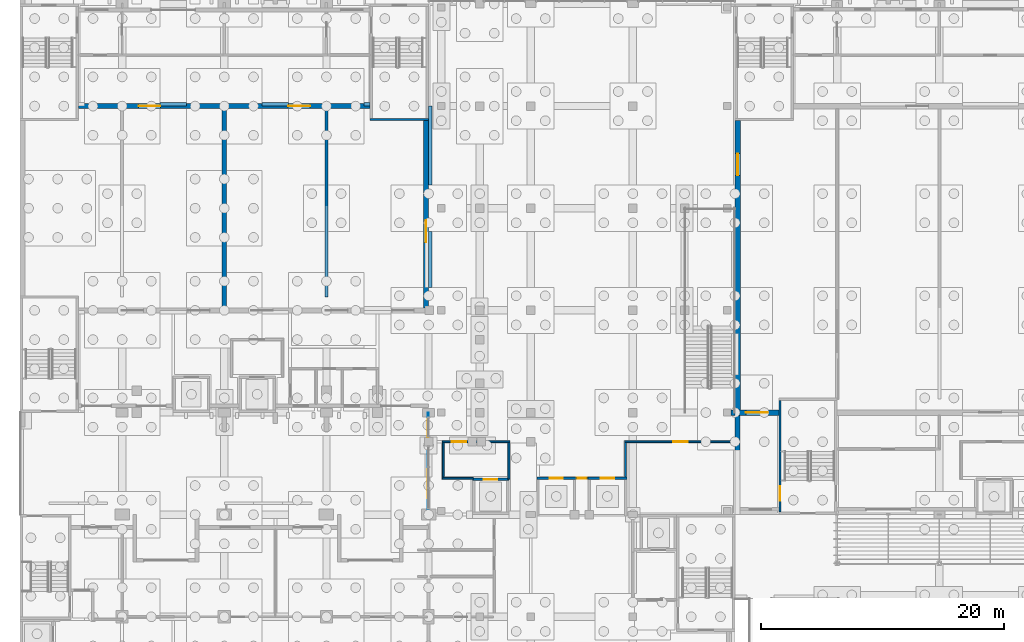
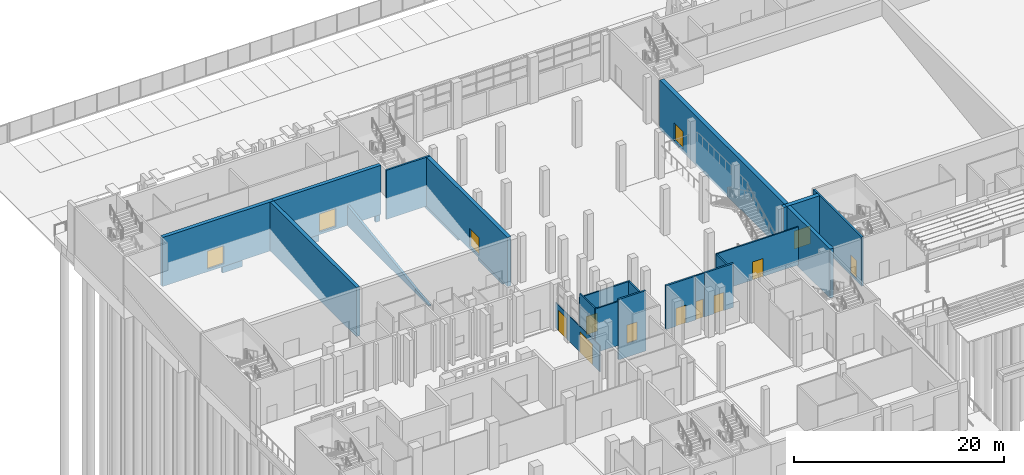
# One storey, part 47 of 129: 27 walls, 14 doors, 14 openings.
"""IFC4 building model written with IfcOpenShell, lengths in metres."""

from ifc_helpers import new_model, si_unit, direction, frame, frame_2d, origin, place, context, subcontext, project, spatial, polyline, rectangle, outline, extrude, material, layer, layer_set, type_object, element, fill, save


model = new_model("IFC4")

# Units and contexts
model_context = context("Model", 3, precision=1e-05, world=origin(), true_north=direction((0.0, 1.0)))
body_context = subcontext(model_context, "Body", "Model", "MODEL_VIEW")
ifc_project = project(units=[si_unit("LENGTHUNIT", "METRE"), si_unit("AREAUNIT", "SQUARE_METRE"), si_unit("VOLUMEUNIT", "CUBIC_METRE"), si_unit("PLANEANGLEUNIT", "RADIAN"), si_unit("MASSUNIT", "GRAM", prefix="KILO")], contexts=[model_context])

# Site, building, storey
site_placement = place(None, origin())
site = spatial("IfcSite", under=ifc_project, at=site_placement, CompositionType="ELEMENT")
building_placement = place(site_placement, origin())
building = spatial("IfcBuilding", under=site, at=building_placement, Name="Kiln Court Media Centre", CompositionType="ELEMENT")
storey_placement = place(building_placement, origin())
storey = spatial("IfcBuildingStorey", under=building, at=storey_placement, Name="L00", CompositionType="ELEMENT", Elevation=0.0)

# Wall
ifc_material_1 = material(Name="Concrete block masonry M7.5", Category="masonry")
ifc_layer_1 = layer(ifc_material_1, 0.14990234375)
ifc_layer_set_1 = layer_set([ifc_layer_1], Name="Block lobby wall 150 EI 120")
wall_type_1 = type_object("IfcWallType", Name="Block lobby wall 150 EI 120", PredefinedType="SOLIDWALL", material=ifc_layer_set_1)
wall_1_placement = place(storey_placement, frame((34.72509765625, 28.199951171875, 0.0), z_axis=(0.0, 0.0, 1.0), x_axis=(1.0, 0.0, 0.0)))
element("IfcWall", 1, at=wall_1_placement, inside=storey, type_object=wall_type_1, Name="L00 block lobby wall", PredefinedType="SOLIDWALL", context=body_context, shape_type="SweptSolid", body=[
    extrude(rectangle(XDim=2.5498046875, YDim=0.14990234375, at=frame_2d((1.27490234375, 0.0))), origin(), (0.0, 0.0, 1.0), 5.10009765625),
])

# Wall, opening, door
wall_2_placement = place(storey_placement, frame((34.72509765625, 31.199951171875, 0.0), z_axis=(0.0, 0.0, 1.0), x_axis=(1.0, 0.0, 0.0)))
wall_2 = element("IfcWall", 2, at=wall_2_placement, inside=storey, type_object=wall_type_1, Name="L00 block lobby wall", PredefinedType="SOLIDWALL", context=body_context, shape_type="SweptSolid", body=[
    extrude(rectangle(XDim=5.5498046875, YDim=0.14990234375, at=frame_2d((2.77490234375, 0.0))), origin(), (0.0, 0.0, 1.0), 4.60009765625),
])
opening_1_placement = place(wall_2_placement, frame((0.77490234375, 0.0, 0.0)))
opening_1 = element("IfcOpeningElement", 3, at=opening_1_placement, cuts=wall_2, Name="Opening D0025", PredefinedType="OPENING", context=body_context, shape_type="SweptSolid", body=[
    extrude(rectangle(XDim=1.199951171875, YDim=2.10009765625, at=frame_2d((0.60009765625, 1.050048828125))), frame((0.0, 0.0849609375, 0.0), z_axis=(0.0, -1.0, 0.0), x_axis=(1.0, 0.0, 0.0)), (0.0, 0.0, 1.0), 0.169921875),
])
ifc_material_2 = material(Name="Steel S275", Category="steel")
door_type_1 = type_object("IfcDoorType", Name="Steel lobby door 1200 x 2100 FD120", OperationType="SINGLE_SWING_LEFT", PredefinedType="DOOR", material=ifc_material_2)
door_1_placement = place(opening_1_placement, origin())
door_1 = element("IfcDoor", 4, at=door_1_placement, inside=storey, type_object=door_type_1, Name="Great Foyer / Fire-fighting Lift Lobby", OperationType="SINGLE_SWING_LEFT", OverallHeight=2.10009765625, OverallWidth=1.199951171875, PredefinedType="DOOR", context=body_context, shape_type="SweptSolid", body=[
    extrude(rectangle(XDim=1.199951171875, YDim=2.10009765625, at=frame_2d((0.60009765625, 1.050048828125))), frame((0.0, 0.02490234375, 0.0), z_axis=(0.0, -1.0, 0.0), x_axis=(1.0, 0.0, 0.0)), (0.0, 0.0, 1.0), 0.050048828125),
])
fill(opening_1, door_1)

# Walls
wall_3_placement = place(storey_placement, frame((34.800048828125, 28.27490234375, 0.0), z_axis=(0.0, 0.0, 1.0), x_axis=(0.0, 1.0, 0.0)))
element("IfcWall", 5, at=wall_3_placement, inside=storey, type_object=wall_type_1, Name="L00 block lobby wall", PredefinedType="SOLIDWALL", context=body_context, shape_type="SweptSolid", body=[
    extrude(rectangle(XDim=2.85009765625, YDim=0.14990234375, at=frame_2d((1.425048828125, 0.0))), origin(), (0.0, 0.0, 1.0), 5.10009765625),
])
wall_4_placement = place(storey_placement, frame((40.199951171875, 28.125, 0.0), z_axis=(0.0, 0.0, 1.0), x_axis=(0.0, 1.0, 0.0)))
element("IfcWall", 6, at=wall_4_placement, inside=storey, type_object=wall_type_1, Name="L00 block lobby wall", PredefinedType="SOLIDWALL", context=body_context, shape_type="SweptSolid", body=[
    extrude(rectangle(XDim=3.0, YDim=0.14990234375, at=frame_2d((1.5, 0.0))), origin(), (0.0, 0.0, 1.0), 4.60009765625),
])

# Wall, opening, door
ifc_material_3 = material(Name="Concrete block masonry M10", Category="masonry")
ifc_layer_2 = layer(ifc_material_3, 0.14990234375)
ifc_layer_set_2 = layer_set([ifc_layer_2], Name="Block riser wall 150 EI 120")
wall_type_2 = type_object("IfcWallType", Name="Block riser wall 150 EI 120", PredefinedType="SOLIDWALL", material=ifc_layer_set_2)
wall_5_placement = place(storey_placement, frame((45.699951171875, 28.199951171875, 0.0), z_axis=(0.0, 0.0, 1.0), x_axis=(1.0, 0.0, 0.0)))
wall_5 = element("IfcWall", 7, at=wall_5_placement, inside=storey, type_object=wall_type_2, Name="L00 block riser wall", PredefinedType="SOLIDWALL", context=body_context, shape_type="SweptSolid", body=[
    extrude(rectangle(XDim=1.0, YDim=0.14990234375, at=frame_2d((0.5, 0.0))), origin(), (0.0, 0.0, 1.0), 5.10009765625),
])
opening_2_placement = place(wall_5_placement, frame((0.10009765625, 0.0, 0.0)))
opening_2 = element("IfcOpeningElement", 8, at=opening_2_placement, cuts=wall_5, Name="Opening D0023", PredefinedType="OPENING", context=body_context, shape_type="SweptSolid", body=[
    extrude(rectangle(XDim=0.800048828125, YDim=2.10009765625, at=frame_2d((0.39990234375, 1.050048828125))), frame((0.0, 0.0849609375, 0.0), z_axis=(0.0, -1.0, 0.0), x_axis=(1.0, 0.0, 0.0)), (0.0, 0.0, 1.0), 0.169921875),
])
ifc_material_4 = material(Name="Steel S275", Category="steel")
door_type_2 = type_object("IfcDoorType", Name="Steel riser door 800 x 2100 FD90", OperationType="SINGLE_SWING_LEFT", PredefinedType="DOOR", material=ifc_material_4)
door_2_placement = place(opening_2_placement, origin())
door_2 = element("IfcDoor", 9, at=door_2_placement, inside=storey, type_object=door_type_2, Name="Riser / Great Foyer", OperationType="SINGLE_SWING_RIGHT", OverallHeight=2.10009765625, OverallWidth=0.800048828125, PredefinedType="DOOR", context=body_context, shape_type="SweptSolid", body=[
    extrude(rectangle(XDim=0.800048828125, YDim=2.10009765625, at=frame_2d((0.39990234375, 1.050048828125))), frame((0.0, 0.02490234375, 0.0), z_axis=(0.0, -1.0, 0.0), x_axis=(1.0, 0.0, 0.0)), (0.0, 0.0, 1.0), 0.050048828125),
])
fill(opening_2, door_2)

# Walls
ifc_material_5 = material(Name="Concrete C30/37", Category="concrete")
ifc_layer_3 = layer(ifc_material_5, 0.300048828125)
ifc_layer_set_3 = layer_set([ifc_layer_3], Name="Concrete C30/37 plinth wall 300")
wall_type_3 = type_object("IfcWallType", Name="Concrete C30/37 plinth wall 300", PredefinedType="SOLIDWALL", material=ifc_layer_set_3)
wall_6_placement = place(storey_placement, frame((13.699951171875, 58.949951171875, -1.199951171875), z_axis=(0.0, 0.0, 1.0), x_axis=(-1.0, 0.0, 0.0)))
element("IfcWall", 10, at=wall_6_placement, inside=storey, type_object=wall_type_3, Name="L00-W-1212", PredefinedType="SOLIDWALL", context=body_context, shape_type="SweptSolid", body=[
    extrude(rectangle(XDim=2.199951171875, YDim=0.300048828125, at=frame_2d((1.10009765625, 0.0))), origin(), (0.0, 0.0, 1.0), 0.89990234375),
])
wall_7_placement = place(storey_placement, frame((22.10009765625, 58.949951171875, -1.199951171875), z_axis=(0.0, 0.0, 1.0), x_axis=(-1.0, 0.0, 0.0)))
element("IfcWall", 11, at=wall_7_placement, inside=storey, type_object=wall_type_3, Name="L00-W-1213", PredefinedType="SOLIDWALL", context=body_context, shape_type="SweptSolid", body=[
    extrude(rectangle(XDim=2.2001953125, YDim=0.300048828125, at=frame_2d((1.10009765625, 0.0))), origin(), (0.0, 0.0, 1.0), 0.89990234375),
])
wall_8_placement = place(storey_placement, frame((28.800048828125, 58.949951171875, -1.199951171875), z_axis=(0.0, 0.0, 1.0), x_axis=(-1.0, 0.0, 0.0)))
element("IfcWall", 12, at=wall_8_placement, inside=storey, type_object=wall_type_3, Name="L00-W-1214", PredefinedType="SOLIDWALL", context=body_context, shape_type="SweptSolid", body=[
    extrude(rectangle(XDim=0.5, YDim=0.300048828125, at=frame_2d((0.25, 0.0))), origin(), (0.0, 0.0, 1.0), 0.89990234375),
])
wall_9_placement = place(storey_placement, frame((33.75, 43.89990234375, -1.199951171875), z_axis=(0.0, 0.0, 1.0), x_axis=(0.0, 1.0, 0.0)))
element("IfcWall", 13, at=wall_9_placement, inside=storey, type_object=wall_type_3, Name="L00-W-1215", PredefinedType="SOLIDWALL", context=body_context, shape_type="SweptSolid", body=[
    extrude(rectangle(XDim=4.60009765625, YDim=0.300048828125, at=frame_2d((2.300048828125, 0.0))), origin(), (0.0, 0.0, 1.0), 0.89990234375),
])
wall_10_placement = place(storey_placement, frame((33.75, 52.300048828125, -1.199951171875), z_axis=(0.0, 0.0, 1.0), x_axis=(0.0, 1.0, 0.0)))
element("IfcWall", 14, at=wall_10_placement, inside=storey, type_object=wall_type_3, Name="L00-W-1216", PredefinedType="SOLIDWALL", context=body_context, shape_type="SweptSolid", body=[
    extrude(rectangle(XDim=6.4990234375, YDim=0.300048828125, at=frame_2d((3.24951171875, 0.0))), origin(), (0.0, 0.0, 1.0), 0.89990234375),
])
ifc_material_6 = material(Name="Concrete C40/50", Category="concrete")
ifc_layer_4 = layer(ifc_material_6, 0.35009765625)
ifc_layer_set_4 = layer_set([ifc_layer_4], Name="Concrete C40/50 auditorium wall 350")
wall_type_4 = type_object("IfcWallType", Name="Concrete C40/50 auditorium wall 350", PredefinedType="SHEAR", material=ifc_layer_set_4)
wall_11_placement = place(storey_placement, frame((58.625, 33.375, -0.300048828125), z_axis=(0.0, 0.0, 1.0), x_axis=(0.0, 1.0, 0.0)))
element("IfcWall", 15, at=wall_11_placement, inside=storey, type_object=wall_type_4, Name="L00-W-1163", PredefinedType="SHEAR", context=body_context, shape_type="SweptSolid", body=[
    extrude(rectangle(XDim=0.449951171875, YDim=0.35009765625, at=frame_2d((0.22509765625, 0.0))), origin(), (0.0, 0.0, 1.0), 5.699951171875),
])

# Wall, opening, door
ifc_material_7 = material(Name="Concrete C40/50", Category="concrete")
ifc_layer_5 = layer(ifc_material_7, 0.39990234375)
ifc_layer_set_5 = layer_set([ifc_layer_5], Name="Concrete C40/50 auditorium wall 400")
wall_type_5 = type_object("IfcWallType", Name="Concrete C40/50 auditorium wall 400", PredefinedType="SHEAR", material=ifc_layer_set_5)
wall_12_placement = place(storey_placement, frame((4.800048828125, 58.800048828125, -0.300048828125), z_axis=(0.0, 0.0, 1.0), x_axis=(1.0, 0.0, 0.0)))
wall_12 = element("IfcWall", 16, at=wall_12_placement, inside=storey, type_object=wall_type_5, Name="L00-W-1119", PredefinedType="SHEAR", context=body_context, shape_type="SweptSolid", body=[
    extrude(rectangle(XDim=12.199951171875, YDim=0.39990234375, at=frame_2d((6.10009765625, 0.0))), origin(), (0.0, 0.0, 1.0), 5.699951171875),
])
opening_3_placement = place(wall_12_placement, frame((4.949951171875, 0.0, 0.300048828125)))
opening_3 = element("IfcOpeningElement", 17, at=opening_3_placement, cuts=wall_12, Name="Opening D0079", PredefinedType="OPENING", context=body_context, shape_type="SweptSolid", body=[
    extrude(rectangle(XDim=1.800048828125, YDim=2.10009765625, at=frame_2d((0.89990234375, 1.050048828125))), frame((0.0, 0.2099609375, 0.0), z_axis=(0.0, -1.0, 0.0), x_axis=(1.0, 0.0, 0.0)), (0.0, 0.0, 1.0), 0.419921875),
])
ifc_material_8 = material(Name="Steel S275", Category="steel")
door_type_3 = type_object("IfcDoorType", Name="Acoustic cinema double door 1800 x 2100 FD180", OperationType="DOUBLE_DOOR_SINGLE_SWING", PredefinedType="DOOR", material=ifc_material_8)
door_3_placement = place(opening_3_placement, origin())
door_3 = element("IfcDoor", 18, at=door_3_placement, inside=storey, type_object=door_type_3, Name="Cinema Screen 3 / Rear Exit Lobby", OperationType="DOUBLE_DOOR_SINGLE_SWING", OverallHeight=2.10009765625, OverallWidth=1.800048828125, PredefinedType="DOOR", context=body_context, shape_type="SweptSolid", body=[
    extrude(rectangle(XDim=1.800048828125, YDim=2.10009765625, at=frame_2d((0.89990234375, 1.050048828125))), frame((0.0, 0.02490234375, 0.0), z_axis=(0.0, -1.0, 0.0), x_axis=(1.0, 0.0, 0.0)), (0.0, 0.0, 1.0), 0.050048828125),
])
fill(opening_3, door_3)

# Wall
wall_13_placement = place(storey_placement, frame((16.800048828125, 58.60009765625, -0.300048828125), z_axis=(0.0, 0.0, 1.0), x_axis=(0.0, -1.0, 0.0)))
element("IfcWall", 19, at=wall_13_placement, inside=storey, type_object=wall_type_5, Name="L00-W-1121", PredefinedType="SHEAR", context=body_context, shape_type="SweptSolid", body=[
    extrude(rectangle(XDim=16.400146484375, YDim=0.39990234375, at=frame_2d((8.2001953125, 0.0))), origin(), (0.0, 0.0, 1.0), 5.699951171875),
])

# Wall, opening, door
wall_14_placement = place(storey_placement, frame((17.0, 58.800048828125, -0.300048828125), z_axis=(0.0, 0.0, 1.0), x_axis=(1.0, 0.0, 0.0)))
wall_14 = element("IfcWall", 20, at=wall_14_placement, inside=storey, type_object=wall_type_5, Name="L00-W-1123", PredefinedType="SHEAR", context=body_context, shape_type="SweptSolid", body=[
    extrude(rectangle(XDim=11.800048828125, YDim=0.39990234375, at=frame_2d((5.89990234375, 0.0))), origin(), (0.0, 0.0, 1.0), 5.699951171875),
])
opening_4_placement = place(wall_14_placement, frame((5.050048828125, 0.0, 0.300048828125)))
opening_4 = element("IfcOpeningElement", 21, at=opening_4_placement, cuts=wall_14, Name="Opening D0083", PredefinedType="OPENING", context=body_context, shape_type="SweptSolid", body=[
    extrude(rectangle(XDim=1.800048828125, YDim=2.10009765625, at=frame_2d((0.89990234375, 1.050048828125))), frame((0.0, 0.2099609375, 0.0), z_axis=(0.0, -1.0, 0.0), x_axis=(1.0, 0.0, 0.0)), (0.0, 0.0, 1.0), 0.419921875),
])
door_4_placement = place(opening_4_placement, origin())
door_4 = element("IfcDoor", 22, at=door_4_placement, inside=storey, type_object=door_type_3, Name="Cinema Screen 4 / Rear Exit Lobby", OperationType="DOUBLE_DOOR_SINGLE_SWING", OverallHeight=2.10009765625, OverallWidth=1.800048828125, PredefinedType="DOOR", context=body_context, shape_type="SweptSolid", body=[
    extrude(rectangle(XDim=1.800048828125, YDim=2.10009765625, at=frame_2d((0.89990234375, 1.050048828125))), frame((0.0, 0.02490234375, 0.0), z_axis=(0.0, -1.0, 0.0), x_axis=(1.0, 0.0, 0.0)), (0.0, 0.0, 1.0), 0.050048828125),
])
fill(opening_4, door_4)

wall_15_placement = place(storey_placement, frame((33.39990234375, 57.60009765625, -0.300048828125), z_axis=(0.0, 0.0, 1.0), x_axis=(0.0, -1.0, 0.0)))
wall_15 = element("IfcWall", 23, at=wall_15_placement, inside=storey, type_object=wall_type_5, Name="L00-W-1124", PredefinedType="SHEAR", context=body_context, shape_type="SweptSolid", body=[
    extrude(rectangle(XDim=15.400146484375, YDim=0.39990234375, at=frame_2d((7.7001953125, 0.0))), origin(), (0.0, 0.0, 1.0), 5.699951171875),
])
opening_5_placement = place(wall_15_placement, frame((8.2001953125, 0.0, 0.300048828125)))
opening_5 = element("IfcOpeningElement", 24, at=opening_5_placement, cuts=wall_15, Name="Opening D0027", PredefinedType="OPENING", context=body_context, shape_type="SweptSolid", body=[
    extrude(rectangle(XDim=1.800048828125, YDim=2.10009765625, at=frame_2d((0.89990234375, 1.050048828125))), frame((0.0, 0.2099609375, 0.0), z_axis=(0.0, -1.0, 0.0), x_axis=(1.0, 0.0, 0.0)), (0.0, 0.0, 1.0), 0.419921875),
])
ifc_material_9 = material(Name="Steel S275", Category="steel")
door_type_4 = type_object("IfcDoorType", Name="Steel fire-wall double door 1800 x 2100 FD180", OperationType="DOUBLE_DOOR_SINGLE_SWING", PredefinedType="DOOR", material=ifc_material_9)
door_5_placement = place(opening_5_placement, origin())
door_5 = element("IfcDoor", 25, at=door_5_placement, inside=storey, type_object=door_type_4, Name="Great Foyer / Cinema Screen 4", OperationType="DOUBLE_DOOR_SINGLE_SWING", OverallHeight=2.10009765625, OverallWidth=1.800048828125, PredefinedType="DOOR", context=body_context, shape_type="SweptSolid", body=[
    extrude(rectangle(XDim=1.800048828125, YDim=2.10009765625, at=frame_2d((0.89990234375, 1.050048828125))), frame((0.0, 0.02490234375, 0.0), z_axis=(0.0, -1.0, 0.0), x_axis=(1.0, 0.0, 0.0)), (0.0, 0.0, 1.0), 0.050048828125),
])
fill(opening_5, door_5)

# Wall
wall_16_placement = place(storey_placement, frame((59.0, 25.199951171875, -0.300048828125), z_axis=(0.0, 0.0, 1.0), x_axis=(0.0, 1.0, 0.0)))
element("IfcWall", 26, at=wall_16_placement, inside=storey, type_object=wall_type_5, Name="L00-W-1141", PredefinedType="SHEAR", context=body_context, shape_type="SweptSolid", body=[
    extrude(rectangle(XDim=8.175048828125, YDim=0.39990234375, at=frame_2d((4.08740234375, 0.0))), origin(), (0.0, 0.0, 1.0), 5.699951171875),
])

# Wall, opening, door
ifc_material_10 = material(Name="Concrete C40/50", Category="concrete")
ifc_layer_6 = layer(ifc_material_10, 0.449951171875)
ifc_layer_set_6 = layer_set([ifc_layer_6], Name="Concrete C40/50 auditorium wall 450")
wall_type_6 = type_object("IfcWallType", Name="Concrete C40/50 auditorium wall 450", PredefinedType="SHEAR", material=ifc_layer_set_6)
wall_17_placement = place(storey_placement, frame((62.39990234375, 33.60009765625, -0.300048828125), z_axis=(0.0, 0.0, 1.0), x_axis=(-1.0, 0.0, 0.0)))
wall_17 = element("IfcWall", 27, at=wall_17_placement, inside=storey, type_object=wall_type_6, Name="L00-W-1110", PredefinedType="SHEAR", context=body_context, shape_type="SweptSolid", body=[
    extrude(rectangle(XDim=3.599853515625, YDim=0.449951171875, at=frame_2d((1.7998046875, 0.0))), origin(), (0.0, 0.0, 1.0), 5.699951171875),
])
opening_6_placement = place(wall_17_placement, frame((0.89990234375, 0.0, 0.300048828125)))
opening_6 = element("IfcOpeningElement", 28, at=opening_6_placement, cuts=wall_17, Name="Opening D0074", PredefinedType="OPENING", context=body_context, shape_type="SweptSolid", body=[
    extrude(rectangle(XDim=1.800048828125, YDim=2.10009765625, at=frame_2d((0.89990234375, 1.050048828125))), frame((0.0, 0.23486328125, 0.0), z_axis=(0.0, -1.0, 0.0), x_axis=(1.0, 0.0, 0.0)), (0.0, 0.0, 1.0), 0.469970703125),
])
door_6_placement = place(opening_6_placement, origin())
door_6 = element("IfcDoor", 29, at=door_6_placement, inside=storey, type_object=door_type_3, Name="Foyer Link / Cinema Screen 1", OperationType="DOUBLE_DOOR_SINGLE_SWING", OverallHeight=2.10009765625, OverallWidth=1.800048828125, PredefinedType="DOOR", context=body_context, shape_type="SweptSolid", body=[
    extrude(rectangle(XDim=1.800048828125, YDim=2.10009765625, at=frame_2d((0.89990234375, 1.050048828125))), frame((0.0, 0.02490234375, 0.0), z_axis=(0.0, -1.0, 0.0), x_axis=(1.0, 0.0, 0.0)), (0.0, 0.0, 1.0), 0.050048828125),
])
fill(opening_6, door_6)

wall_18_placement = place(storey_placement, frame((59.02490234375, 33.824951171875, -0.300048828125), z_axis=(0.0, 0.0, 1.0), x_axis=(0.0, 1.0, 0.0)))
wall_18 = element("IfcWall", 30, at=wall_18_placement, inside=storey, type_object=wall_type_6, Name="L00-W-1113", PredefinedType="SHEAR", context=body_context, shape_type="SweptSolid", body=[
    extrude(rectangle(XDim=23.775146484375, YDim=0.449951171875, at=frame_2d((11.8876953125, 0.0))), origin(), (0.0, 0.0, 1.0), 5.699951171875),
])
opening_7_placement = place(wall_18_placement, frame((19.27490234375, 0.0, 0.300048828125)))
opening_7 = element("IfcOpeningElement", 31, at=opening_7_placement, cuts=wall_18, Name="Opening D0026", PredefinedType="OPENING", context=body_context, shape_type="SweptSolid", body=[
    extrude(rectangle(XDim=1.800048828125, YDim=2.10009765625, at=frame_2d((0.89990234375, 1.050048828125))), frame((0.0, 0.23486328125, 0.0), z_axis=(0.0, -1.0, 0.0), x_axis=(1.0, 0.0, 0.0)), (0.0, 0.0, 1.0), 0.469970703125),
])
door_7_placement = place(opening_7_placement, origin())
door_7 = element("IfcDoor", 32, at=door_7_placement, inside=storey, type_object=door_type_4, Name="Great Foyer / Cinema Screen 1", OperationType="DOUBLE_DOOR_SINGLE_SWING", OverallHeight=2.10009765625, OverallWidth=1.800048828125, PredefinedType="DOOR", context=body_context, shape_type="SweptSolid", body=[
    extrude(rectangle(XDim=1.800048828125, YDim=2.10009765625, at=frame_2d((0.89990234375, 1.050048828125))), frame((0.0, 0.02490234375, 0.0), z_axis=(0.0, -1.0, 0.0), x_axis=(1.0, 0.0, 0.0)), (0.0, 0.0, 1.0), 0.050048828125),
])
fill(opening_7, door_7)

ifc_material_11 = material(Name="Concrete C40/50", Category="concrete")
ifc_layer_7 = layer(ifc_material_11, 0.199951171875)
ifc_layer_set_7 = layer_set([ifc_layer_7], Name="Concrete C40/50 lift shaft wall 200 EI 240")
wall_type_7 = type_object("IfcWallType", Name="Concrete C40/50 lift shaft wall 200 EI 240", PredefinedType="SHEAR", material=ifc_layer_set_7)
wall_19_placement = place(storey_placement, frame((42.5, 28.199951171875, 0.0), z_axis=(0.0, 0.0, 1.0), x_axis=(1.0, 0.0, 0.0)))
wall_19 = element("IfcWall", 33, at=wall_19_placement, inside=storey, type_object=wall_type_7, Name="L00 concrete c40/50 lift shaft wall", PredefinedType="SHEAR", context=body_context, shape_type="SweptSolid", body=[
    extrude(rectangle(XDim=3.199951171875, YDim=0.199951171875, at=frame_2d((1.60009765625, 0.0))), origin(), (0.0, 0.0, 1.0), 5.10009765625),
])
opening_8_placement = place(wall_19_placement, frame((1.050048828125, 0.0, 0.0)))
opening_8 = element("IfcOpeningElement", 34, at=opening_8_placement, cuts=wall_19, Name="Opening LD007", PredefinedType="OPENING", context=body_context, shape_type="SweptSolid", body=[
    extrude(rectangle(XDim=1.10009765625, YDim=2.10009765625, at=frame_2d((0.550048828125, 1.050048828125))), frame((0.0, 0.10986328125, 0.0), z_axis=(0.0, -1.0, 0.0), x_axis=(1.0, 0.0, 0.0)), (0.0, 0.0, 1.0), 0.219970703125),
])
ifc_material_12 = material(Name="Stainless steel", Category="steel")
door_type_5 = type_object("IfcDoorType", Name="Lift landing door 1100 x 2100 FD120", OperationType="SLIDING_TO_LEFT", PredefinedType="DOOR", material=ifc_material_12)
door_8_placement = place(opening_8_placement, origin())
door_8 = element("IfcDoor", 35, at=door_8_placement, inside=storey, type_object=door_type_5, Name="LF-07 landing door L00", OperationType="SLIDING_TO_LEFT", OverallHeight=2.10009765625, OverallWidth=1.10009765625, PredefinedType="DOOR", context=body_context, shape_type="SweptSolid", body=[
    extrude(rectangle(XDim=1.10009765625, YDim=2.10009765625, at=frame_2d((0.550048828125, 1.050048828125))), frame((0.0, 0.02490234375, 0.0), z_axis=(0.0, -1.0, 0.0), x_axis=(1.0, 0.0, 0.0)), (0.0, 0.0, 1.0), 0.050048828125),
])
fill(opening_8, door_8)

wall_20_placement = place(storey_placement, frame((46.699951171875, 28.199951171875, 0.0), z_axis=(0.0, 0.0, 1.0), x_axis=(1.0, 0.0, 0.0)))
wall_20 = element("IfcWall", 36, at=wall_20_placement, inside=storey, type_object=wall_type_7, Name="L00 concrete c40/50 lift shaft wall", PredefinedType="SHEAR", context=body_context, shape_type="SweptSolid", body=[
    extrude(rectangle(XDim=3.199951171875, YDim=0.199951171875, at=frame_2d((1.60009765625, 0.0))), origin(), (0.0, 0.0, 1.0), 5.10009765625),
])
opening_9_placement = place(wall_20_placement, frame((1.050048828125, 0.0, 0.0)))
opening_9 = element("IfcOpeningElement", 37, at=opening_9_placement, cuts=wall_20, Name="Opening LD008", PredefinedType="OPENING", context=body_context, shape_type="SweptSolid", body=[
    extrude(rectangle(XDim=1.10009765625, YDim=2.10009765625, at=frame_2d((0.550048828125, 1.050048828125))), frame((0.0, 0.10986328125, 0.0), z_axis=(0.0, -1.0, 0.0), x_axis=(1.0, 0.0, 0.0)), (0.0, 0.0, 1.0), 0.219970703125),
])
door_9_placement = place(opening_9_placement, origin())
door_9 = element("IfcDoor", 38, at=door_9_placement, inside=storey, type_object=door_type_5, Name="LF-08 landing door L00", OperationType="SLIDING_TO_LEFT", OverallHeight=2.10009765625, OverallWidth=1.10009765625, PredefinedType="DOOR", context=body_context, shape_type="SweptSolid", body=[
    extrude(rectangle(XDim=1.10009765625, YDim=2.10009765625, at=frame_2d((0.550048828125, 1.050048828125))), frame((0.0, 0.02490234375, 0.0), z_axis=(0.0, -1.0, 0.0), x_axis=(1.0, 0.0, 0.0)), (0.0, 0.0, 1.0), 0.050048828125),
])
fill(opening_9, door_9)

# Walls
ifc_material_13 = material(Name="Concrete C40/50", Category="concrete")
ifc_layer_8 = layer(ifc_material_13, 0.25)
ifc_layer_set_8 = layer_set([ifc_layer_8], Name="Concrete C40/50 raker wall 250")
wall_type_8 = type_object("IfcWallType", Name="Concrete C40/50 raker wall 250", PredefinedType="SOLIDWALL", material=ifc_layer_set_8)
wall_21_placement = place(storey_placement, frame((25.199951171875, 43.10009765625, -0.300048828125), z_axis=(0.0, 0.0, 1.0), x_axis=(0.0, 1.0, 0.0)))
element("IfcWall", 39, at=wall_21_placement, inside=storey, type_object=wall_type_8, Name="L00-W-1152", PredefinedType="SOLIDWALL", context=body_context, shape_type="SweptSolid", body=[
    extrude(outline(polyline([(0.0, 0.0), (15.5, 0.0), (15.5, 2.323974609375), (0.0, 0.154052734375), (0.0, 0.0)])), frame((0.0, 0.125, 0.0), z_axis=(0.0, -1.0, 0.0), x_axis=(1.0, 0.0, 0.0)), (0.0, 0.0, 1.0), 0.25),
])
ifc_material_14 = material(Name="Concrete C40/50", Category="concrete")
ifc_layer_9 = layer(ifc_material_14, 0.199951171875)
ifc_layer_set_9 = layer_set([ifc_layer_9], Name="Concrete C40/50 shear wall 200")
wall_type_9 = type_object("IfcWallType", Name="Concrete C40/50 shear wall 200", PredefinedType="SHEAR", material=ifc_layer_set_9)
wall_22_placement = place(storey_placement, frame((33.60009765625, 57.699951171875, -0.300048828125), z_axis=(0.0, 0.0, 1.0), x_axis=(-1.0, 0.0, 0.0)))
element("IfcWall", 40, at=wall_22_placement, inside=storey, type_object=wall_type_9, Name="L00-W-1028", PredefinedType="SHEAR", context=body_context, shape_type="SweptSolid", body=[
    extrude(rectangle(XDim=4.800048828125, YDim=0.199951171875, at=frame_2d((2.39990234375, 0.0))), origin(), (0.0, 0.0, 1.0), 5.699951171875),
])

# Wall, opening, door
wall_23_placement = place(storey_placement, frame((62.5, 25.39990234375, -0.300048828125), z_axis=(0.0, 0.0, 1.0), x_axis=(0.0, 1.0, 0.0)))
wall_23 = element("IfcWall", 41, at=wall_23_placement, inside=storey, type_object=wall_type_9, Name="L00-W-1034", PredefinedType="SHEAR", context=body_context, shape_type="SweptSolid", body=[
    extrude(rectangle(XDim=9.2001953125, YDim=0.199951171875, at=frame_2d((4.60009765625, 0.0))), origin(), (0.0, 0.0, 1.0), 5.699951171875),
])
opening_10_placement = place(wall_23_placement, frame((0.9501953125, 0.0, 0.300048828125)))
opening_10 = element("IfcOpeningElement", 42, at=opening_10_placement, cuts=wall_23, Name="Opening D0001", PredefinedType="OPENING", context=body_context, shape_type="SweptSolid", body=[
    extrude(rectangle(XDim=1.199951171875, YDim=2.10009765625, at=frame_2d((0.60009765625, 1.050048828125))), frame((0.0, 0.10986328125, 0.0), z_axis=(0.0, -1.0, 0.0), x_axis=(1.0, 0.0, 0.0)), (0.0, 0.0, 1.0), 0.219970703125),
])
ifc_material_15 = material(Name="Steel S275", Category="steel")
door_type_6 = type_object("IfcDoorType", Name="Steel stair door 1200 x 2100 FD180", OperationType="SINGLE_SWING_LEFT", PredefinedType="DOOR", material=ifc_material_15)
door_10_placement = place(opening_10_placement, origin())
door_10 = element("IfcDoor", 43, at=door_10_placement, inside=storey, type_object=door_type_6, Name="Foyer Link / Stair 9", OperationType="SINGLE_SWING_LEFT", OverallHeight=2.10009765625, OverallWidth=1.199951171875, PredefinedType="DOOR", context=body_context, shape_type="SweptSolid", body=[
    extrude(rectangle(XDim=1.199951171875, YDim=2.10009765625, at=frame_2d((0.60009765625, 1.050048828125))), frame((0.0, 0.02490234375, 0.0), z_axis=(0.0, -1.0, 0.0), x_axis=(1.0, 0.0, 0.0)), (0.0, 0.0, 1.0), 0.050048828125),
])
fill(opening_10, door_10)

wall_24_placement = place(storey_placement, frame((37.199951171875, 28.10009765625, -1.60009765625), z_axis=(0.0, 0.0, 1.0), x_axis=(1.0, 0.0, 0.0)))
wall_24 = element("IfcWall", 44, at=wall_24_placement, inside=storey, type_object=wall_type_9, Name="L00-W-1107", PredefinedType="SHEAR", context=body_context, shape_type="SweptSolid", body=[
    extrude(rectangle(XDim=3.0, YDim=0.199951171875, at=frame_2d((1.5, 0.0))), origin(), (0.0, 0.0, 1.0), 7.0),
])
opening_11_placement = place(wall_24_placement, frame((0.949951171875, 0.0, 1.60009765625)))
opening_11 = element("IfcOpeningElement", 45, at=opening_11_placement, cuts=wall_24, Name="Opening LD013", PredefinedType="OPENING", context=body_context, shape_type="SweptSolid", body=[
    extrude(rectangle(XDim=1.10009765625, YDim=2.10009765625, at=frame_2d((0.550048828125, 1.050048828125))), frame((0.0, 0.10986328125, 0.0), z_axis=(0.0, -1.0, 0.0), x_axis=(1.0, 0.0, 0.0)), (0.0, 0.0, 1.0), 0.219970703125),
])
ifc_material_16 = material(Name="Stainless steel", Category="steel")
door_type_7 = type_object("IfcDoorType", Name="Firefighting lift landing door 1100 x 2100 FD120", OperationType="SLIDING_TO_LEFT", PredefinedType="DOOR", material=ifc_material_16)
door_11_placement = place(opening_11_placement, origin())
door_11 = element("IfcDoor", 46, at=door_11_placement, inside=storey, type_object=door_type_7, Name="LF-13 landing door L00", OperationType="SLIDING_TO_LEFT", OverallHeight=2.10009765625, OverallWidth=1.10009765625, PredefinedType="DOOR", context=body_context, shape_type="SweptSolid", body=[
    extrude(rectangle(XDim=1.10009765625, YDim=2.10009765625, at=frame_2d((0.550048828125, 1.050048828125))), frame((0.0, 0.02490234375, 0.0), z_axis=(0.0, -1.0, 0.0), x_axis=(1.0, 0.0, 0.0)), (0.0, 0.0, 1.0), 0.050048828125),
])
fill(opening_11, door_11)

# Wall, openings, doors
ifc_material_17 = material(Name="Laminated low-E glazing", Category="glass")
ifc_layer_10 = layer(ifc_material_17, 0.080078125)
ifc_layer_set_10 = layer_set([ifc_layer_10], Name="Glazed shopfront wall 80")
wall_type_10 = type_object("IfcWallType", Name="Glazed shopfront wall 80", PredefinedType="MOVABLE", material=ifc_layer_set_10)
wall_25_placement = place(storey_placement, frame((33.56005859375, 25.199951171875, 0.0), z_axis=(0.0, 0.0, 1.0), x_axis=(0.0, 1.0, 0.0)))
wall_25 = element("IfcWall", 47, at=wall_25_placement, inside=storey, type_object=wall_type_10, Name="Foyer west shopfront", PredefinedType="MOVABLE", context=body_context, shape_type="SweptSolid", body=[
    extrude(rectangle(XDim=8.400146484375, YDim=0.080078125, at=frame_2d((4.2001953125, 0.0))), origin(), (0.0, 0.0, 1.0), 3.0),
])
opening_12_placement = place(wall_25_placement, frame((1.35009765625, 0.0, 0.0)))
opening_12 = element("IfcOpeningElement", 48, at=opening_12_placement, cuts=wall_25, Name="Opening D0755", PredefinedType="OPENING", context=body_context, shape_type="SweptSolid", body=[
    extrude(rectangle(XDim=2.39990234375, YDim=2.39990234375, at=frame_2d((1.199951171875, 1.199951171875))), frame((0.0, 0.050048828125, 0.0), z_axis=(0.0, -1.0, 0.0), x_axis=(1.0, 0.0, 0.0)), (0.0, 0.0, 1.0), 0.10009765625),
])
opening_13_placement = place(wall_25_placement, frame((6.35009765625, 0.0, 0.0)))
opening_13 = element("IfcOpeningElement", 49, at=opening_13_placement, cuts=wall_25, Name="Opening D0756", PredefinedType="OPENING", context=body_context, shape_type="SweptSolid", body=[
    extrude(rectangle(XDim=1.5, YDim=2.39990234375, at=frame_2d((0.75, 1.199951171875))), frame((0.0, 0.050048828125, 0.0), z_axis=(0.0, -1.0, 0.0), x_axis=(1.0, 0.0, 0.0)), (0.0, 0.0, 1.0), 0.10009765625),
])
ifc_material_18 = material(Name="Aluminium 6063-T6", Category="aluminium")
door_type_8 = type_object("IfcDoorType", Name="Aluminium glazed entrance door 2400x2400", OperationType="DOUBLE_DOOR_DOUBLE_SWING", PredefinedType="DOOR", material=ifc_material_18)
door_12_placement = place(opening_12_placement, origin())
door_12 = element("IfcDoor", 50, at=door_12_placement, inside=storey, type_object=door_type_8, Name="Foyer west entrance", OperationType="DOUBLE_DOOR_DOUBLE_SWING", OverallHeight=2.39990234375, OverallWidth=2.39990234375, PredefinedType="DOOR", context=body_context, shape_type="SweptSolid", body=[
    extrude(rectangle(XDim=2.39990234375, YDim=2.39990234375, at=frame_2d((1.199951171875, 1.199951171875))), frame((0.0, 0.02490234375, 0.0), z_axis=(0.0, -1.0, 0.0), x_axis=(1.0, 0.0, 0.0)), (0.0, 0.0, 1.0), 0.050048828125),
])
fill(opening_12, door_12)
ifc_material_19 = material(Name="Aluminium 6063-T6", Category="aluminium")
door_type_9 = type_object("IfcDoorType", Name="Aluminium hall entrance door 1500x2400", OperationType="DOUBLE_DOOR_DOUBLE_SWING", PredefinedType="DOOR", material=ifc_material_19)
door_13_placement = place(opening_13_placement, origin())
door_13 = element("IfcDoor", 51, at=door_13_placement, inside=storey, type_object=door_type_9, Name="Foyer west exit", OperationType="DOUBLE_DOOR_DOUBLE_SWING", OverallHeight=2.39990234375, OverallWidth=1.5, PredefinedType="DOOR", context=body_context, shape_type="SweptSolid", body=[
    extrude(rectangle(XDim=1.5, YDim=2.39990234375, at=frame_2d((0.75, 1.199951171875))), frame((0.0, 0.02490234375, 0.0), z_axis=(0.0, -1.0, 0.0), x_axis=(1.0, 0.0, 0.0)), (0.0, 0.0, 1.0), 0.050048828125),
])
fill(opening_13, door_13)

# Wall, opening, door
ifc_material_20 = material(Name="Gypsum plasterboard", Category="gypsum")
ifc_layer_11 = layer(ifc_material_20, 0.14990234375)
ifc_layer_set_11 = layer_set([ifc_layer_11], Name="Gypsum corridor partition 150 EI 60")
wall_type_11 = type_object("IfcWallType", Name="Gypsum corridor partition 150 EI 60", PredefinedType="PARTITIONING", material=ifc_layer_set_11)
wall_26_placement = place(storey_placement, frame((49.72509765625, 31.199951171875, 0.0), z_axis=(0.0, 0.0, 1.0), x_axis=(1.0, 0.0, 0.0)))
wall_26 = element("IfcWall", 52, at=wall_26_placement, inside=storey, type_object=wall_type_11, Name="L00 gypsum corridor partition", PredefinedType="PARTITIONING", context=body_context, shape_type="SweptSolid", body=[
    extrude(rectangle(XDim=9.074951171875, YDim=0.14990234375, at=frame_2d((4.53759765625, 0.0))), origin(), (0.0, 0.0, 1.0), 4.39990234375),
])
opening_14_placement = place(wall_26_placement, frame((3.97509765625, 0.0, 0.0)))
opening_14 = element("IfcOpeningElement", 53, at=opening_14_placement, cuts=wall_26, Name="Opening D0024", PredefinedType="OPENING", context=body_context, shape_type="SweptSolid", body=[
    extrude(rectangle(XDim=1.199951171875, YDim=2.10009765625, at=frame_2d((0.60009765625, 1.050048828125))), frame((0.0, 0.0849609375, 0.0), z_axis=(0.0, -1.0, 0.0), x_axis=(1.0, 0.0, 0.0)), (0.0, 0.0, 1.0), 0.169921875),
])
ifc_material_21 = material(Name="Steel S275", Category="steel")
door_type_10 = type_object("IfcDoorType", Name="Steel corridor door 1200 x 2100 FD30S", OperationType="SINGLE_SWING_LEFT", PredefinedType="DOOR", material=ifc_material_21)
door_14_placement = place(opening_14_placement, origin())
door_14 = element("IfcDoor", 54, at=door_14_placement, inside=storey, type_object=door_type_10, Name="Ticketing Hall / Great Foyer", OperationType="SINGLE_SWING_RIGHT", OverallHeight=2.10009765625, OverallWidth=1.199951171875, PredefinedType="DOOR", context=body_context, shape_type="SweptSolid", body=[
    extrude(rectangle(XDim=1.199951171875, YDim=2.10009765625, at=frame_2d((0.60009765625, 1.050048828125))), frame((0.0, 0.02490234375, 0.0), z_axis=(0.0, -1.0, 0.0), x_axis=(1.0, 0.0, 0.0)), (0.0, 0.0, 1.0), 0.050048828125),
])
fill(opening_14, door_14)

# Wall
wall_27_placement = place(storey_placement, frame((49.800048828125, 28.300048828125, 0.0), z_axis=(0.0, 0.0, 1.0), x_axis=(0.0, 1.0, 0.0)))
element("IfcWall", 55, at=wall_27_placement, inside=storey, type_object=wall_type_11, Name="L00 gypsum corridor partition", PredefinedType="PARTITIONING", context=body_context, shape_type="SweptSolid", body=[
    extrude(rectangle(XDim=2.824951171875, YDim=0.14990234375, at=frame_2d((1.41259765625, 0.0))), origin(), (0.0, 0.0, 1.0), 4.39990234375),
])

save(model, "model.ifc")
